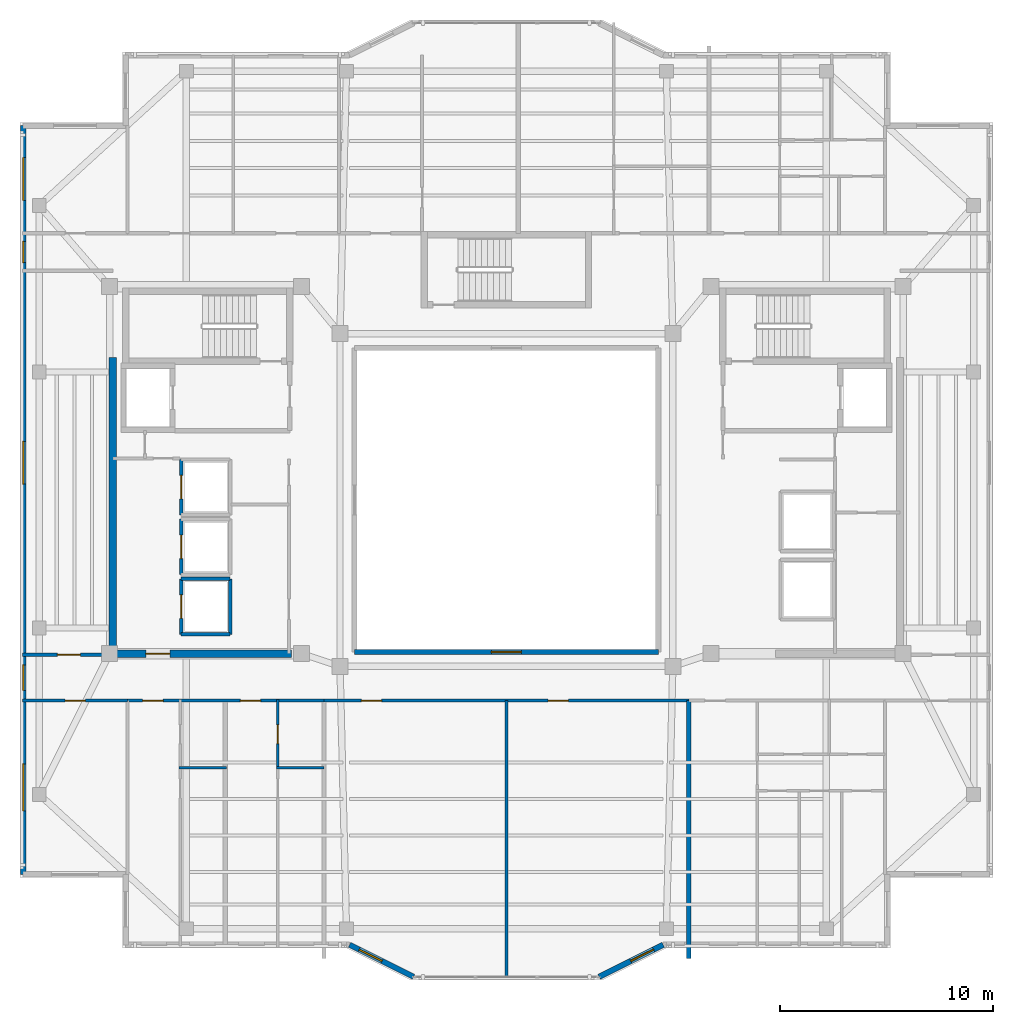
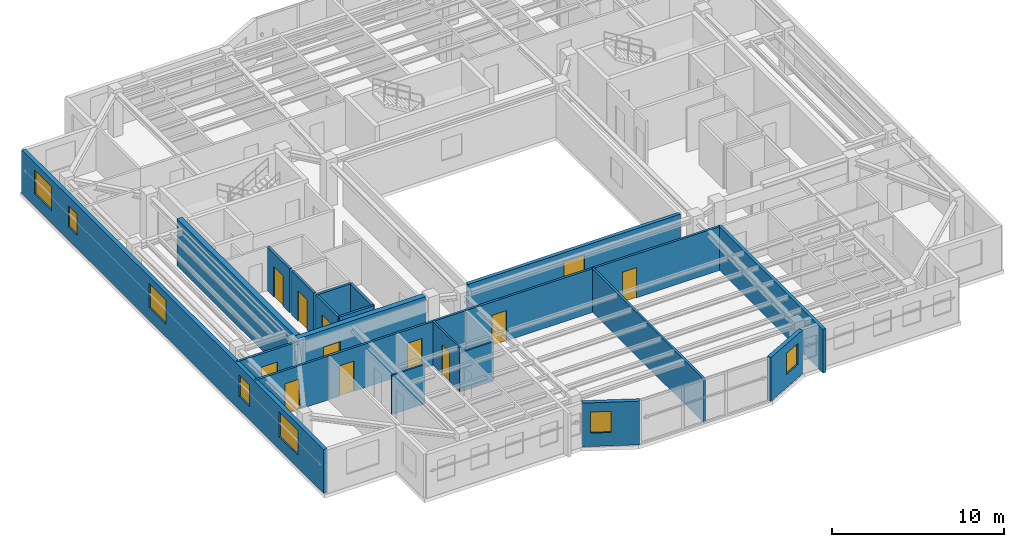
# One storey, part 6 of 14: 21 walls, 11 doors, 8 windows, 19 openings.
"""IFC4 building model written with IfcOpenShell, lengths in metres."""

import ifcopenshell
import ifcopenshell.guid

model = None  # the IFC model being written
_history = None  # IfcOwnerHistory: only IFC2X3 demands one
_inside = {}  # id of a spatial element -> (the spatial element, [elements in it])
_under = {}  # id of a project, library or spatial element -> (it, [spatial elements below it])
_declared = {}  # id of a project -> (the project, [libraries it declares])
_typed = {}  # id of a type object -> (the type object, [elements of that type])
_made_of = {}  # id of a material, layer set ... -> (it, [elements and type objects made of it])


def new_model(schema):
    """Start an empty IFC model of exactly this schema.

    Asked for "IFC4X3", IfcOpenShell would pick the latest addendum, in which some entities
    have other attributes; the version numbers below select the first issue.
    IFC2X3 requires an IfcOwnerHistory on every rooted entity: one is made here for all.
    """
    global model, _history
    if schema == "IFC4X3":
        model = ifcopenshell.file(schema_version=(4, 3, 0, 0))
    else:
        model = ifcopenshell.file(schema=schema)
    _inside.clear()
    _under.clear()
    _declared.clear()
    _typed.clear()
    _made_of.clear()
    _history = None
    if model.schema == "IFC2X3":
        org = make("IfcOrganization", Name="unknown")
        user = make(
            "IfcPersonAndOrganization",
            ThePerson=make("IfcPerson", FamilyName="unknown"),
            TheOrganization=org,
        )
        app = make(
            "IfcApplication",
            ApplicationDeveloper=org,
            Version="unknown",
            ApplicationFullName="unknown",
            ApplicationIdentifier="unknown",
        )
        _history = make(
            "IfcOwnerHistory",
            OwningUser=user,
            OwningApplication=app,
            ChangeAction="ADDED",
            CreationDate=0,
        )
    return model


def make(cls, **values):
    """One entity of the class cls with the attributes given. An attribute that is None is left unset."""
    return model.create_entity(
        cls, **{name: value for name, value in values.items() if value is not None}
    )


def rooted(cls, **values):
    """An entity with a GlobalId (a new one), such as an element, a storey or a relation."""
    return make(cls, GlobalId=ifcopenshell.guid.new(), OwnerHistory=_history, **values)


def si_unit(unit_type, name, prefix=None):
    """IfcSIUnit, for example si_unit("LENGTHUNIT", "METRE", prefix="MILLI")."""
    return make("IfcSIUnit", UnitType=unit_type, Prefix=prefix, Name=name)


def assignment(units):
    """IfcUnitAssignment: the units of a project."""
    return None if units is None else make("IfcUnitAssignment", Units=units)


def point(xyz):
    """IfcCartesianPoint."""
    return None if xyz is None else make("IfcCartesianPoint", Coordinates=xyz)


def direction(xyz):
    """IfcDirection."""
    return None if xyz is None else make("IfcDirection", DirectionRatios=xyz)


def frame(location, z_axis=None, x_axis=None):
    """IfcAxis2Placement3D, a coordinate frame: its origin and axes. An axis left out is left unset."""
    return make(
        "IfcAxis2Placement3D",
        Location=point(location),
        Axis=direction(z_axis),
        RefDirection=direction(x_axis),
    )


def frame_2d(location, x_axis=None):
    """IfcAxis2Placement2D, a coordinate frame in the plane: its origin and x axis."""
    return make(
        "IfcAxis2Placement2D", Location=point(location), RefDirection=direction(x_axis)
    )


def origin():
    """The frame at (0, 0, 0) with its axes left unset."""
    return frame((0.0, 0.0, 0.0))


def place(relative_to, where):
    """IfcLocalPlacement: puts the frame where relative to a parent placement (None: the world)."""
    return make(
        "IfcLocalPlacement", PlacementRelTo=relative_to, RelativePlacement=where
    )


def context(
    kind, dimensions, precision=None, world=None, true_north=None, identifier=None
):
    """IfcGeometricRepresentationContext, for example the 3D "Model" context."""
    return make(
        "IfcGeometricRepresentationContext",
        ContextIdentifier=identifier,
        ContextType=kind,
        CoordinateSpaceDimension=dimensions,
        Precision=precision,
        WorldCoordinateSystem=world,
        TrueNorth=true_north,
    )


def subcontext(parent, identifier, kind, view, scale=None):
    """IfcGeometricRepresentationSubContext, for example "Body" below "Model"."""
    return make(
        "IfcGeometricRepresentationSubContext",
        ContextIdentifier=identifier,
        ContextType=kind,
        ParentContext=parent,
        TargetScale=scale,
        TargetView=view,
    )


def project(units=None, contexts=None):
    """IfcProject with its units and contexts."""
    return rooted(
        "IfcProject",
        Name="project",
        RepresentationContexts=contexts,
        UnitsInContext=assignment(units),
    )


def spatial(cls, under=None, at=None, **own):
    """A site, building, storey or space (cls), placed at a placement, below another one or the project."""
    s = rooted(cls, ObjectPlacement=at, **own)
    if under is not None:
        _under.setdefault(under.id(), (under, []))[1].append(s)
    return s


def profile(cls, at=None, kind="AREA", **sizes):
    """A parametric profile (cls). Its sizes go by their IFC names, for example OverallWidth=200.0."""
    return make(cls, ProfileType=kind, Position=at, **sizes)


def rectangle(**sizes):
    """IfcRectangleProfileDef."""
    return profile("IfcRectangleProfileDef", **sizes)


def extrude(swept, where, along, depth):
    """IfcExtrudedAreaSolid: the profile swept, set in the frame where, extruded along a direction by depth."""
    return make(
        "IfcExtrudedAreaSolid",
        SweptArea=swept,
        Position=where,
        ExtrudedDirection=direction(along),
        Depth=depth,
    )


def shape(context_of_items, identifier, shape_type, items):
    """IfcShapeRepresentation: the items that make up one representation, for example the "Body"."""
    return make(
        "IfcShapeRepresentation",
        ContextOfItems=context_of_items,
        RepresentationIdentifier=identifier,
        RepresentationType=shape_type,
        Items=items,
    )


def material(Name=None, Category=None):
    """IfcMaterial."""
    return make("IfcMaterial", Name=Name, Category=Category)


def layer(
    of_material, thickness, ventilated=None, Name=None, Category=None, Priority=None
):
    """IfcMaterialLayer: one layer of a wall or slab, of a material (None: an air gap)."""
    return make(
        "IfcMaterialLayer",
        Material=of_material,
        LayerThickness=thickness,
        IsVentilated=ventilated,
        Name=Name,
        Category=Category,
        Priority=Priority,
    )


def layer_set(layers, Name=None):
    """IfcMaterialLayerSet."""
    return make("IfcMaterialLayerSet", MaterialLayers=layers, LayerSetName=Name)


def made_of(thing, what):
    """Note that an element or type object is made of a material, layer set ...; save() writes the relation."""
    if what is not None:
        _made_of.setdefault(what.id(), (what, []))[1].append(thing)
    return thing


def type_object(cls, material=None, **own):
    """A type object (cls), such as IfcWallType, which elements share."""
    return made_of(rooted(cls, **own), material)


def element(
    cls,
    number,
    at=None,
    inside=None,
    cuts=None,
    type_object=None,
    material=None,
    context=None,
    identifier="Body",
    shape_type=None,
    held_by="IfcProductDefinitionShape",
    body=None,
    shapes=None,
    **own,
):
    """One element of the class cls, such as IfcWall. Its Tag is "e" and its number.

    at: its placement. inside: the storey or other place that contains it. cuts: it is an
    opening in that element (IfcRelVoidsElement). A single representation is given by context,
    identifier, shape_type and body (its items); several are given by shapes. held_by: the class
    of the entity that holds the representations. save() writes the other relations.
    """
    e = rooted(cls, Tag="e%d" % number, ObjectPlacement=at, **own)
    if body is not None:
        shapes = [shape(context, identifier, shape_type, body)]
    if shapes is not None:
        e.Representation = make(held_by, Representations=shapes)
    if inside is not None:
        _inside.setdefault(inside.id(), (inside, []))[1].append(e)
    if cuts is not None:
        rooted(
            "IfcRelVoidsElement", RelatingBuildingElement=cuts, RelatedOpeningElement=e
        )
    if type_object is not None:
        _typed.setdefault(type_object.id(), (type_object, []))[1].append(e)
    return made_of(e, material)


def fill(opening, filler):
    """IfcRelFillsElement: the door or window that sits in an opening."""
    return rooted(
        "IfcRelFillsElement",
        RelatingOpeningElement=opening,
        RelatedBuildingElement=filler,
    )


def aggregate(whole, parts):
    """IfcRelAggregates: a whole, such as a stair, and the parts it consists of."""
    return rooted("IfcRelAggregates", RelatingObject=whole, RelatedObjects=parts)


def save(model, path):
    """Write the relations noted so far, then the file.

    IfcRelAggregates (storeys below a building ...), IfcRelContainedInSpatialStructure (elements
    in a storey), IfcRelDefinesByType, IfcRelAssociatesMaterial and IfcRelDeclares: one each for
    every whole, place, type object, material and project.
    """
    for whole, parts in _under.values():
        aggregate(whole, parts)
    for where, things in _inside.values():
        rooted(
            "IfcRelContainedInSpatialStructure",
            RelatedElements=things,
            RelatingStructure=where,
        )
    for kind, things in _typed.values():
        rooted("IfcRelDefinesByType", RelatedObjects=things, RelatingType=kind)
    for what, things in _made_of.values():
        rooted("IfcRelAssociatesMaterial", RelatedObjects=things, RelatingMaterial=what)
    for by, libraries in _declared.values():
        rooted("IfcRelDeclares", RelatingContext=by, RelatedDefinitions=libraries)
    model.write(path)


model = new_model("IFC4")

# Units and contexts
model_context = context("Model", 3, precision=1e-05, world=origin(), true_north=direction((0.0, 1.0)))
body_context = subcontext(model_context, "Body", "Model", "MODEL_VIEW")
ifc_project = project(units=[si_unit("LENGTHUNIT", "METRE"), si_unit("AREAUNIT", "SQUARE_METRE"), si_unit("VOLUMEUNIT", "CUBIC_METRE"), si_unit("PLANEANGLEUNIT", "RADIAN"), si_unit("MASSUNIT", "GRAM", prefix="KILO")], contexts=[model_context])

# Site, building, storey
site_placement = place(None, origin())
site = spatial("IfcSite", under=ifc_project, at=site_placement, CompositionType="ELEMENT")
building_placement = place(site_placement, origin())
building = spatial("IfcBuilding", under=site, at=building_placement, Name="Tarnavaz Court Tower", CompositionType="ELEMENT")
storey_placement = place(building_placement, frame((0.0, 0.0, 258.25)))
storey = spatial("IfcBuildingStorey", under=building, at=storey_placement, Name="L70", CompositionType="ELEMENT", Elevation=258.25)

# Wall
ifc_material_1 = material(Name="Concrete C50/60", Category="concrete")
ifc_layer_1 = layer(ifc_material_1, 0.35009765625)
ifc_layer_set_1 = layer_set([ifc_layer_1], Name="Concrete C50/60")
wall_type_1 = type_object("IfcWallType", Name="WL-CORE-350-C50", PredefinedType="SHEAR", material=ifc_layer_set_1)
wall_1_placement = place(storey_placement, frame((-18.449951171875, -7.375, 0.0), z_axis=(0.0, 0.0, 1.0), x_axis=(0.0, 1.0, 0.0)))
element("IfcWall", 1, at=wall_1_placement, inside=storey, type_object=wall_type_1, Name="L70 West Core Shear Wall 045", PredefinedType="SHEAR", context=body_context, shape_type="SweptSolid", body=[
    extrude(rectangle(XDim=14.050048828125, YDim=0.35009765625, at=frame_2d((7.02490234375, 0.0))), origin(), (0.0, 0.0, 1.0), 3.35009765625),
])

# Wall, opening, door
wall_2_placement = place(storey_placement, frame((-18.625, -7.199951171875, 0.0), z_axis=(0.0, 0.0, 1.0), x_axis=(1.0, 0.0, 0.0)))
wall_2 = element("IfcWall", 2, at=wall_2_placement, inside=storey, type_object=wall_type_1, Name="L70 West Core South Shear Wall 046", PredefinedType="SHEAR", context=body_context, shape_type="SweptSolid", body=[
    extrude(rectangle(XDim=8.550048828125, YDim=0.35009765625, at=frame_2d((4.27490234375, 0.0))), origin(), (0.0, 0.0, 1.0), 3.35009765625),
])
opening_1_placement = place(wall_2_placement, frame((1.72509765625, 0.0, 0.0)))
opening_1 = element("IfcOpeningElement", 3, at=opening_1_placement, cuts=wall_2, Name="Opening D04", PredefinedType="OPENING", context=body_context, shape_type="SweptSolid", body=[
    extrude(rectangle(XDim=1.1201171875, YDim=2.14990234375, at=frame_2d((0.56005859375, 1.074951171875))), frame((0.0, 0.18505859375, 0.0), z_axis=(0.0, -1.0, 0.0), x_axis=(1.0, 0.0, 0.0)), (0.0, 0.0, 1.0), 0.3701171875),
])
ifc_material_2 = material(Name="Fire-Rated Hardwood Timber Core", Category="wood")
door_type_1 = type_object("IfcDoorType", Name="DR-FD60-1100", OperationType="NOTDEFINED", PredefinedType="DOOR", material=ifc_material_2)
door_1_placement = place(opening_1_placement, origin())
door_1 = element("IfcDoor", 4, at=door_1_placement, inside=storey, type_object=door_type_1, Name="L70 West High-Rise Lift Lobby Door", OperationType="SINGLE_SWING_LEFT", OverallHeight=2.14990234375, OverallWidth=1.1201171875, PredefinedType="DOOR", context=body_context, shape_type="SweptSolid", body=[
    extrude(rectangle(XDim=1.1201171875, YDim=2.14990234375, at=frame_2d((0.56005859375, 1.074951171875))), frame((0.0, 0.02490234375, 0.0), z_axis=(0.0, -1.0, 0.0), x_axis=(1.0, 0.0, 0.0)), (0.0, 0.0, 1.0), 0.050048828125),
])
fill(opening_1, door_1)

# Wall, openings, windows
ifc_material_3 = material(Name="Precast Concrete C40/50", Category="concrete")
ifc_layer_2 = layer(ifc_material_3, 0.260009765625)
ifc_layer_set_2 = layer_set([ifc_layer_2], Name="Precast Concrete C40/50")
wall_type_2 = type_object("IfcWallType", Name="WL-EXT-260", PredefinedType="SOLIDWALL", material=ifc_layer_set_2)
wall_3_placement = place(storey_placement, frame((-22.64990234375, -17.550048828125, 0.0), z_axis=(0.0, 0.0, 1.0), x_axis=(0.0, 1.0, 0.0)))
wall_3 = element("IfcWall", 5, at=wall_3_placement, inside=storey, type_object=wall_type_2, Name="L70 Exterior Terracotta Facade Wall 02", PredefinedType="SOLIDWALL", context=body_context, shape_type="SweptSolid", body=[
    extrude(rectangle(XDim=35.10009765625, YDim=0.260009765625, at=frame_2d((17.550048828125, 0.0))), origin(), (0.0, 0.0, 1.0), 3.10009765625),
])
opening_2_placement = place(wall_3_placement, frame((2.97509765625, 0.0, 0.89990234375)))
opening_2 = element("IfcOpeningElement", 6, at=opening_2_placement, cuts=wall_3, Name="Opening W07", PredefinedType="OPENING", context=body_context, shape_type="SweptSolid", body=[
    extrude(rectangle(XDim=2.199951171875, YDim=1.75, at=frame_2d((1.10009765625, 0.875))), frame((0.0, 0.139892578125, 0.0), z_axis=(0.0, -1.0, 0.0), x_axis=(1.0, 0.0, 0.0)), (0.0, 0.0, 1.0), 0.280029296875),
])
opening_3_placement = place(wall_3_placement, frame((8.625, 0.0, 0.949951171875)))
opening_3 = element("IfcOpeningElement", 7, at=opening_3_placement, cuts=wall_3, Name="Opening W05", PredefinedType="OPENING", context=body_context, shape_type="SweptSolid", body=[
    extrude(rectangle(XDim=1.199951171875, YDim=1.5, at=frame_2d((0.60009765625, 0.75))), frame((0.0, 0.139892578125, 0.0), z_axis=(0.0, -1.0, 0.0), x_axis=(1.0, 0.0, 0.0)), (0.0, 0.0, 1.0), 0.280029296875),
])
opening_4_placement = place(wall_3_placement, frame((18.300048828125, 0.0, 0.89990234375)))
opening_4 = element("IfcOpeningElement", 8, at=opening_4_placement, cuts=wall_3, Name="Opening W08", PredefinedType="OPENING", context=body_context, shape_type="SweptSolid", body=[
    extrude(rectangle(XDim=2.0, YDim=1.699951171875, at=frame_2d((1.0, 0.85009765625))), frame((0.0, 0.139892578125, 0.0), z_axis=(0.0, -1.0, 0.0), x_axis=(1.0, 0.0, 0.0)), (0.0, 0.0, 1.0), 0.280029296875),
])
opening_5_placement = place(wall_3_placement, frame((28.675048828125, 0.0, 0.949951171875)))
opening_5 = element("IfcOpeningElement", 9, at=opening_5_placement, cuts=wall_3, Name="Opening W14", PredefinedType="OPENING", context=body_context, shape_type="SweptSolid", body=[
    extrude(rectangle(XDim=1.0, YDim=1.5, at=frame_2d((0.5, 0.75))), frame((0.0, 0.139892578125, 0.0), z_axis=(0.0, -1.0, 0.0), x_axis=(1.0, 0.0, 0.0)), (0.0, 0.0, 1.0), 0.280029296875),
])
opening_6_placement = place(wall_3_placement, frame((31.60009765625, 0.0, 0.89990234375)))
opening_6 = element("IfcOpeningElement", 10, at=opening_6_placement, cuts=wall_3, Name="Opening W08", PredefinedType="OPENING", context=body_context, shape_type="SweptSolid", body=[
    extrude(rectangle(XDim=2.0, YDim=1.699951171875, at=frame_2d((1.0, 0.85009765625))), frame((0.0, 0.139892578125, 0.0), z_axis=(0.0, -1.0, 0.0), x_axis=(1.0, 0.0, 0.0)), (0.0, 0.0, 1.0), 0.280029296875),
])
ifc_material_4 = material(Name="Double-Glazed Solar Low-E Glass", Category="glass")
window_type_1 = type_object("IfcWindowType", Name="WN-APT-1000", PartitioningType="SINGLE_PANEL", PredefinedType="WINDOW", material=ifc_material_4)
window_1_placement = place(opening_5_placement, origin())
window_1 = element("IfcWindow", 11, at=window_1_placement, inside=storey, type_object=window_type_1, Name="L70 North-West Corner Corridor Window", OverallHeight=1.5, OverallWidth=1.0, PartitioningType="SINGLE_PANEL", PredefinedType="WINDOW", context=body_context, shape_type="SweptSolid", body=[
    extrude(rectangle(XDim=1.0, YDim=1.5, at=frame_2d((0.5, 0.75))), frame((0.0, 0.030029296875, 0.0), z_axis=(0.0, -1.0, 0.0), x_axis=(1.0, 0.0, 0.0)), (0.0, 0.0, 1.0), 0.06005859375),
])
fill(opening_5, window_1)
window_type_2 = type_object("IfcWindowType", Name="WN-APT-1200", PartitioningType="SINGLE_PANEL", PredefinedType="WINDOW", material=ifc_material_4)
window_2_placement = place(opening_3_placement, origin())
window_2 = element("IfcWindow", 12, at=window_2_placement, inside=storey, type_object=window_type_2, Name="L70 South-West Corner Corridor Window", OverallHeight=1.5, OverallWidth=1.199951171875, PartitioningType="SINGLE_PANEL", PredefinedType="WINDOW", context=body_context, shape_type="SweptSolid", body=[
    extrude(rectangle(XDim=1.199951171875, YDim=1.5, at=frame_2d((0.60009765625, 0.75))), frame((0.0, 0.030029296875, 0.0), z_axis=(0.0, -1.0, 0.0), x_axis=(1.0, 0.0, 0.0)), (0.0, 0.0, 1.0), 0.06005859375),
])
fill(opening_3, window_2)
window_type_3 = type_object("IfcWindowType", Name="WN-APT-2000", PartitioningType="DOUBLE_PANEL_VERTICAL", PredefinedType="WINDOW", material=ifc_material_4)
window_3_placement = place(opening_4_placement, origin())
window_3 = element("IfcWindow", 13, at=window_3_placement, inside=storey, type_object=window_type_3, Name="L70 West Wing Community Meeting Lounge Window", OverallHeight=1.699951171875, OverallWidth=2.0, PartitioningType="SINGLE_PANEL", PredefinedType="WINDOW", context=body_context, shape_type="SweptSolid", body=[
    extrude(rectangle(XDim=2.0, YDim=1.699951171875, at=frame_2d((1.0, 0.85009765625))), frame((0.0, 0.030029296875, 0.0), z_axis=(0.0, -1.0, 0.0), x_axis=(1.0, 0.0, 0.0)), (0.0, 0.0, 1.0), 0.06005859375),
])
fill(opening_4, window_3)
window_4_placement = place(opening_6_placement, origin())
window_4 = element("IfcWindow", 14, at=window_4_placement, inside=storey, type_object=window_type_3, Name="L70 North-West Corner Sunroom Study Window", OverallHeight=1.699951171875, OverallWidth=2.0, PartitioningType="SINGLE_PANEL", PredefinedType="WINDOW", context=body_context, shape_type="SweptSolid", body=[
    extrude(rectangle(XDim=2.0, YDim=1.699951171875, at=frame_2d((1.0, 0.85009765625))), frame((0.0, 0.030029296875, 0.0), z_axis=(0.0, -1.0, 0.0), x_axis=(1.0, 0.0, 0.0)), (0.0, 0.0, 1.0), 0.06005859375),
])
fill(opening_6, window_4)
window_type_4 = type_object("IfcWindowType", Name="WN-APT-2200", PartitioningType="TRIPLE_PANEL_VERTICAL", PredefinedType="WINDOW", material=ifc_material_4)
window_5_placement = place(opening_2_placement, origin())
window_5 = element("IfcWindow", 15, at=window_5_placement, inside=storey, type_object=window_type_4, Name="L70 South-West Corner Reading Room Window", OverallHeight=1.75, OverallWidth=2.199951171875, PartitioningType="SINGLE_PANEL", PredefinedType="WINDOW", context=body_context, shape_type="SweptSolid", body=[
    extrude(rectangle(XDim=2.199951171875, YDim=1.75, at=frame_2d((1.10009765625, 0.875))), frame((0.0, 0.030029296875, 0.0), z_axis=(0.0, -1.0, 0.0), x_axis=(1.0, 0.0, 0.0)), (0.0, 0.0, 1.0), 0.06005859375),
])
fill(opening_2, window_5)

# Wall, opening, window
wall_4_placement = place(storey_placement, frame((7.35009765625, -20.85009765625, 0.0), z_axis=(0.0, 0.0, 1.0), x_axis=(-0.894427191, -0.4472135955, 0.0)))
wall_4 = element("IfcWall", 16, at=wall_4_placement, inside=storey, type_object=wall_type_2, Name="L70 Exterior Terracotta Facade Wall 16", PredefinedType="SOLIDWALL", context=body_context, shape_type="SweptSolid", body=[
    extrude(rectangle(XDim=3.35400390625, YDim=0.260009765625, at=frame_2d((1.677001953125, 0.0))), origin(), (0.0, 0.0, 1.0), 3.10009765625),
])
opening_7_placement = place(wall_4_placement, frame((0.501220703125, 0.0, 0.949951171875)))
opening_7 = element("IfcOpeningElement", 17, at=opening_7_placement, cuts=wall_4, Name="Opening W05", PredefinedType="OPENING", context=body_context, shape_type="SweptSolid", body=[
    extrude(rectangle(XDim=1.199951171875, YDim=1.5, at=frame_2d((0.60009765625, 0.75))), frame((0.0, 0.139892578125, 0.0), z_axis=(0.0, -1.0, 0.0), x_axis=(1.0, 0.0, 0.0)), (0.0, 0.0, 1.0), 0.280029296875),
])
window_6_placement = place(opening_7_placement, origin())
window_6 = element("IfcWindow", 18, at=window_6_placement, inside=storey, type_object=window_type_2, Name="L70 South Courtyard Reading Room Window", OverallHeight=1.5, OverallWidth=1.199951171875, PartitioningType="SINGLE_PANEL", PredefinedType="WINDOW", context=body_context, shape_type="SweptSolid", body=[
    extrude(rectangle(XDim=1.199951171875, YDim=1.5, at=frame_2d((0.60009765625, 0.75))), frame((0.0, 0.030029296875, 0.0), z_axis=(0.0, -1.0, 0.0), x_axis=(1.0, 0.0, 0.0)), (0.0, 0.0, 1.0), 0.06005859375),
])
fill(opening_7, window_6)

wall_5_placement = place(storey_placement, frame((-4.35009765625, -22.35009765625, 0.0), z_axis=(0.0, 0.0, 1.0), x_axis=(-0.894427191, 0.4472135955, 0.0)))
wall_5 = element("IfcWall", 19, at=wall_5_placement, inside=storey, type_object=wall_type_2, Name="L70 Exterior Terracotta Facade Wall 18", PredefinedType="SOLIDWALL", context=body_context, shape_type="SweptSolid", body=[
    extrude(rectangle(XDim=3.35400390625, YDim=0.260009765625, at=frame_2d((1.677001953125, 0.0))), origin(), (0.0, 0.0, 1.0), 3.10009765625),
])
opening_8_placement = place(wall_5_placement, frame((1.65283203125, 0.0, 0.949951171875)))
opening_8 = element("IfcOpeningElement", 20, at=opening_8_placement, cuts=wall_5, Name="Opening W05", PredefinedType="OPENING", context=body_context, shape_type="SweptSolid", body=[
    extrude(rectangle(XDim=1.199951171875, YDim=1.5, at=frame_2d((0.60009765625, 0.75))), frame((0.0, 0.139892578125, 0.0), z_axis=(0.0, -1.0, 0.0), x_axis=(1.0, 0.0, 0.0)), (0.0, 0.0, 1.0), 0.280029296875),
])
window_7_placement = place(opening_8_placement, origin())
window_7 = element("IfcWindow", 21, at=window_7_placement, inside=storey, type_object=window_type_2, Name="L70 South Courtyard Majlis Lounge Window", OverallHeight=1.5, OverallWidth=1.199951171875, PartitioningType="SINGLE_PANEL", PredefinedType="WINDOW", context=body_context, shape_type="SweptSolid", body=[
    extrude(rectangle(XDim=1.199951171875, YDim=1.5, at=frame_2d((0.60009765625, 0.75))), frame((0.0, 0.030029296875, 0.0), z_axis=(0.0, -1.0, 0.0), x_axis=(1.0, 0.0, 0.0)), (0.0, 0.0, 1.0), 0.06005859375),
])
fill(opening_8, window_7)

# Wall, openings, doors
ifc_material_5 = material(Name="Gypsum Fire-Board on Acoustic Metal Stud", Category="masonry")
ifc_layer_3 = layer(ifc_material_5, 0.14990234375)
ifc_layer_set_3 = layer_set([ifc_layer_3], Name="Gypsum Fire-Board on Acoustic Metal Stud")
wall_type_3 = type_object("IfcWallType", Name="WL-FIRE-150", PredefinedType="PARTITIONING", material=ifc_layer_set_3)
wall_6_placement = place(storey_placement, frame((-17.75, -9.39990234375, 0.0), z_axis=(0.0, 0.0, 1.0), x_axis=(1.0, 0.0, 0.0)))
wall_6 = element("IfcWall", 22, at=wall_6_placement, inside=storey, type_object=wall_type_3, Name="L70 SW Lobby Wall 059", PredefinedType="PARTITIONING", context=body_context, shape_type="SweptSolid", body=[
    extrude(rectangle(XDim=9.199951171875, YDim=0.14990234375, at=frame_2d((4.60009765625, 0.0))), origin(), (0.0, 0.0, 1.0), 3.10009765625),
])
opening_9_placement = place(wall_6_placement, frame((0.699951171875, 0.0, 0.0)))
opening_9 = element("IfcOpeningElement", 23, at=opening_9_placement, cuts=wall_6, Name="Opening D06", PredefinedType="OPENING", context=body_context, shape_type="SweptSolid", body=[
    extrude(rectangle(XDim=0.9599609375, YDim=2.14990234375, at=frame_2d((0.47998046875, 1.074951171875))), frame((0.0, 0.0849609375, 0.0), z_axis=(0.0, -1.0, 0.0), x_axis=(1.0, 0.0, 0.0)), (0.0, 0.0, 1.0), 0.169921875),
])
opening_10_placement = place(wall_6_placement, frame((5.27490234375, 0.0, 0.0)))
opening_10 = element("IfcOpeningElement", 24, at=opening_10_placement, cuts=wall_6, Name="Opening D06", PredefinedType="OPENING", context=body_context, shape_type="SweptSolid", body=[
    extrude(rectangle(XDim=0.9599609375, YDim=2.14990234375, at=frame_2d((0.47998046875, 1.074951171875))), frame((0.0, 0.0849609375, 0.0), z_axis=(0.0, -1.0, 0.0), x_axis=(1.0, 0.0, 0.0)), (0.0, 0.0, 1.0), 0.169921875),
])
door_type_2 = type_object("IfcDoorType", Name="DR-FD60-950", OperationType="NOTDEFINED", PredefinedType="DOOR", material=ifc_material_2)
door_2_placement = place(opening_9_placement, origin())
door_2 = element("IfcDoor", 25, at=door_2_placement, inside=storey, type_object=door_type_2, Name="L70 Flat 03 Entrance Door", OperationType="SINGLE_SWING_RIGHT", OverallHeight=2.14990234375, OverallWidth=0.9599609375, PredefinedType="DOOR", context=body_context, shape_type="SweptSolid", body=[
    extrude(rectangle(XDim=0.9599609375, YDim=2.14990234375, at=frame_2d((0.47998046875, 1.074951171875))), frame((0.0, 0.02490234375, 0.0), z_axis=(0.0, -1.0, 0.0), x_axis=(1.0, 0.0, 0.0)), (0.0, 0.0, 1.0), 0.050048828125),
])
fill(opening_9, door_2)
door_3_placement = place(opening_10_placement, origin())
door_3 = element("IfcDoor", 26, at=door_3_placement, inside=storey, type_object=door_type_2, Name="L70 Flat 04 Entrance Door", OperationType="SINGLE_SWING_LEFT", OverallHeight=2.14990234375, OverallWidth=0.9599609375, PredefinedType="DOOR", context=body_context, shape_type="SweptSolid", body=[
    extrude(rectangle(XDim=0.9599609375, YDim=2.14990234375, at=frame_2d((0.47998046875, 1.074951171875))), frame((0.0, 0.02490234375, 0.0), z_axis=(0.0, -1.0, 0.0), x_axis=(1.0, 0.0, 0.0)), (0.0, 0.0, 1.0), 0.050048828125),
])
fill(opening_10, door_3)

wall_7_placement = place(storey_placement, frame((-8.550048828125, -9.39990234375, 0.0), z_axis=(0.0, 0.0, 1.0), x_axis=(1.0, 0.0, 0.0)))
wall_7 = element("IfcWall", 27, at=wall_7_placement, inside=storey, type_object=wall_type_3, Name="L70 Interior Partition 091", PredefinedType="PARTITIONING", context=body_context, shape_type="SweptSolid", body=[
    extrude(rectangle(XDim=17.10009765625, YDim=0.14990234375, at=frame_2d((8.550048828125, 0.0))), origin(), (0.0, 0.0, 1.0), 3.10009765625),
])
opening_11_placement = place(wall_7_placement, frame((1.75, 0.0, 0.0)))
opening_11 = element("IfcOpeningElement", 28, at=opening_11_placement, cuts=wall_7, Name="Opening D13", PredefinedType="OPENING", context=body_context, shape_type="SweptSolid", body=[
    extrude(rectangle(XDim=0.949951171875, YDim=2.14990234375, at=frame_2d((0.47509765625, 1.074951171875))), frame((0.0, 0.0849609375, 0.0), z_axis=(0.0, -1.0, 0.0), x_axis=(1.0, 0.0, 0.0)), (0.0, 0.0, 1.0), 0.169921875),
])
opening_12_placement = place(wall_7_placement, frame((10.5, 0.0, 0.0)))
opening_12 = element("IfcOpeningElement", 29, at=opening_12_placement, cuts=wall_7, Name="Opening D13", PredefinedType="OPENING", context=body_context, shape_type="SweptSolid", body=[
    extrude(rectangle(XDim=0.949951171875, YDim=2.14990234375, at=frame_2d((0.47509765625, 1.074951171875))), frame((0.0, 0.0849609375, 0.0), z_axis=(0.0, -1.0, 0.0), x_axis=(1.0, 0.0, 0.0)), (0.0, 0.0, 1.0), 0.169921875),
])
ifc_material_6 = material(Name="Engineered Oak Timber", Category="wood")
door_type_3 = type_object("IfcDoorType", Name="DR-INT-950", OperationType="NOTDEFINED", PredefinedType="DOOR", material=ifc_material_6)
door_4_placement = place(opening_11_placement, origin())
door_4 = element("IfcDoor", 30, at=door_4_placement, inside=storey, type_object=door_type_3, Name="L70 South Majlis Lounge Door", OperationType="SINGLE_SWING_LEFT", OverallHeight=2.14990234375, OverallWidth=0.949951171875, PredefinedType="DOOR", context=body_context, shape_type="SweptSolid", body=[
    extrude(rectangle(XDim=0.949951171875, YDim=2.14990234375, at=frame_2d((0.47509765625, 1.074951171875))), frame((0.0, 0.02490234375, 0.0), z_axis=(0.0, -1.0, 0.0), x_axis=(1.0, 0.0, 0.0)), (0.0, 0.0, 1.0), 0.050048828125),
])
fill(opening_11, door_4)
door_5_placement = place(opening_12_placement, origin())
door_5 = element("IfcDoor", 31, at=door_5_placement, inside=storey, type_object=door_type_3, Name="L70 South Reading Room Door", OperationType="SINGLE_SWING_RIGHT", OverallHeight=2.14990234375, OverallWidth=0.949951171875, PredefinedType="DOOR", context=body_context, shape_type="SweptSolid", body=[
    extrude(rectangle(XDim=0.949951171875, YDim=2.14990234375, at=frame_2d((0.47509765625, 1.074951171875))), frame((0.0, 0.02490234375, 0.0), z_axis=(0.0, -1.0, 0.0), x_axis=(1.0, 0.0, 0.0)), (0.0, 0.0, 1.0), 0.050048828125),
])
fill(opening_12, door_5)

# Wall, opening, door
wall_8_placement = place(storey_placement, frame((-22.679931640625, -7.25, 0.0), z_axis=(0.0, 0.0, 1.0), x_axis=(1.0, 0.0, 0.0)))
wall_8 = element("IfcWall", 32, at=wall_8_placement, inside=storey, type_object=wall_type_3, Name="L70 Interior Partition 093", PredefinedType="PARTITIONING", context=body_context, shape_type="SweptSolid", body=[
    extrude(rectangle(XDim=4.22998046875, YDim=0.14990234375, at=frame_2d((2.114990234375, 0.0))), origin(), (0.0, 0.0, 1.0), 3.10009765625),
])
opening_13_placement = place(wall_8_placement, frame((1.6298828125, 0.0, 0.0)))
opening_13 = element("IfcOpeningElement", 33, at=opening_13_placement, cuts=wall_8, Name="Opening D12", PredefinedType="OPENING", context=body_context, shape_type="SweptSolid", body=[
    extrude(rectangle(XDim=1.080078125, YDim=2.14990234375, at=frame_2d((0.5400390625, 1.074951171875))), frame((0.0, 0.0849609375, 0.0), z_axis=(0.0, -1.0, 0.0), x_axis=(1.0, 0.0, 0.0)), (0.0, 0.0, 1.0), 0.169921875),
])
door_type_4 = type_object("IfcDoorType", Name="DR-INT-1100", OperationType="NOTDEFINED", PredefinedType="DOOR", material=ifc_material_6)
door_6_placement = place(opening_13_placement, origin())
door_6 = element("IfcDoor", 34, at=door_6_placement, inside=storey, type_object=door_type_4, Name="L70 West Meeting Lounge Door", OperationType="SINGLE_SWING_LEFT", OverallHeight=2.14990234375, OverallWidth=1.080078125, PredefinedType="DOOR", context=body_context, shape_type="SweptSolid", body=[
    extrude(rectangle(XDim=1.080078125, YDim=2.14990234375, at=frame_2d((0.5400390625, 1.074951171875))), frame((0.0, 0.02490234375, 0.0), z_axis=(0.0, -1.0, 0.0), x_axis=(1.0, 0.0, 0.0)), (0.0, 0.0, 1.0), 0.050048828125),
])
fill(opening_13, door_6)

wall_9_placement = place(storey_placement, frame((-22.679931640625, -9.39990234375, 0.0), z_axis=(0.0, 0.0, 1.0), x_axis=(1.0, 0.0, 0.0)))
wall_9 = element("IfcWall", 35, at=wall_9_placement, inside=storey, type_object=wall_type_3, Name="L70 Interior Partition 103", PredefinedType="PARTITIONING", context=body_context, shape_type="SweptSolid", body=[
    extrude(rectangle(XDim=4.929931640625, YDim=0.14990234375, at=frame_2d((2.46484375, 0.0))), origin(), (0.0, 0.0, 1.0), 3.10009765625),
])
opening_14_placement = place(wall_9_placement, frame((1.989990234375, 0.0, 0.0)))
opening_14 = element("IfcOpeningElement", 36, at=opening_14_placement, cuts=wall_9, Name="Opening D13", PredefinedType="OPENING", context=body_context, shape_type="SweptSolid", body=[
    extrude(rectangle(XDim=0.949951171875, YDim=2.14990234375, at=frame_2d((0.47509765625, 1.074951171875))), frame((0.0, 0.0849609375, 0.0), z_axis=(0.0, -1.0, 0.0), x_axis=(1.0, 0.0, 0.0)), (0.0, 0.0, 1.0), 0.169921875),
])
door_7_placement = place(opening_14_placement, origin())
door_7 = element("IfcDoor", 37, at=door_7_placement, inside=storey, type_object=door_type_3, Name="L70 SW Reading Room Door", OperationType="SINGLE_SWING_LEFT", OverallHeight=2.14990234375, OverallWidth=0.949951171875, PredefinedType="DOOR", context=body_context, shape_type="SweptSolid", body=[
    extrude(rectangle(XDim=0.949951171875, YDim=2.14990234375, at=frame_2d((0.47509765625, 1.074951171875))), frame((0.0, 0.02490234375, 0.0), z_axis=(0.0, -1.0, 0.0), x_axis=(1.0, 0.0, 0.0)), (0.0, 0.0, 1.0), 0.050048828125),
])
fill(opening_14, door_7)

# Walls
ifc_material_7 = material(Name="Autoclaved Aerated Concrete Blockwork", Category="masonry")
ifc_layer_4 = layer(ifc_material_7, 0.199951171875)
ifc_layer_set_4 = layer_set([ifc_layer_4], Name="Autoclaved Aerated Concrete Blockwork")
wall_type_4 = type_object("IfcWallType", Name="WL-FIRE-200", PredefinedType="SOLIDWALL", material=ifc_layer_set_4)
wall_10_placement = place(storey_placement, frame((8.550048828125, -21.50390625, 0.0), z_axis=(0.0, 0.0, 1.0), x_axis=(0.0, 1.0, 0.0)))
element("IfcWall", 38, at=wall_10_placement, inside=storey, type_object=wall_type_4, Name="L70 Party Wall 090", PredefinedType="SOLIDWALL", context=body_context, shape_type="SweptSolid", body=[
    extrude(rectangle(XDim=12.10400390625, YDim=0.199951171875, at=frame_2d((6.052001953125, 0.0))), origin(), (0.0, 0.0, 1.0), 3.10009765625),
])
ifc_material_8 = material(Name="Moisture-Resistant Gypsum Board Partition", Category="masonry")
ifc_layer_5 = layer(ifc_material_8, 0.1201171875)
ifc_layer_set_5 = layer_set([ifc_layer_5], Name="Moisture-Resistant Gypsum Board Partition")
wall_type_5 = type_object("IfcWallType", Name="WL-PART-120", PredefinedType="PARTITIONING", material=ifc_layer_set_5)
wall_11_placement = place(storey_placement, frame((-15.35009765625, -12.56005859375, 0.0), z_axis=(0.0, 0.0, 1.0), x_axis=(1.0, 0.0, 0.0)))
element("IfcWall", 39, at=wall_11_placement, inside=storey, type_object=wall_type_5, Name="L70 Interior Partition 078", PredefinedType="PARTITIONING", context=body_context, shape_type="SweptSolid", body=[
    extrude(rectangle(XDim=2.235107421875, YDim=0.1201171875, at=frame_2d((1.11767578125, 0.0))), origin(), (0.0, 0.0, 1.0), 2.784912109375),
])

# Wall, opening, door
wall_12_placement = place(storey_placement, frame((-10.715087890625, -12.56005859375, 0.0), z_axis=(0.0, 0.0, 1.0), x_axis=(0.0, 1.0, 0.0)))
wall_12 = element("IfcWall", 40, at=wall_12_placement, inside=storey, type_object=wall_type_5, Name="L70 Interior Partition 080", PredefinedType="PARTITIONING", context=body_context, shape_type="SweptSolid", body=[
    extrude(rectangle(XDim=3.219970703125, YDim=0.1201171875, at=frame_2d((1.60986328125, 0.0))), origin(), (0.0, 0.0, 1.0), 3.10009765625),
])
opening_15_placement = place(wall_12_placement, frame((1.139892578125, 0.0, 0.0)))
opening_15 = element("IfcOpeningElement", 41, at=opening_15_placement, cuts=wall_12, Name="Opening D14", PredefinedType="OPENING", context=body_context, shape_type="SweptSolid", body=[
    extrude(rectangle(XDim=0.8798828125, YDim=2.10009765625, at=frame_2d((0.43994140625, 1.050048828125))), frame((0.0, 0.070068359375, 0.0), z_axis=(0.0, -1.0, 0.0), x_axis=(1.0, 0.0, 0.0)), (0.0, 0.0, 1.0), 0.14013671875),
])
door_type_5 = type_object("IfcDoorType", Name="DR-INT-900", OperationType="NOTDEFINED", PredefinedType="DOOR", material=ifc_material_6)
door_8_placement = place(opening_15_placement, origin())
door_8 = element("IfcDoor", 42, at=door_8_placement, inside=storey, type_object=door_type_5, Name="L70 Flat 04 Bathroom Door", OperationType="SINGLE_SWING_LEFT", OverallHeight=2.10009765625, OverallWidth=0.8798828125, PredefinedType="DOOR", context=body_context, shape_type="SweptSolid", body=[
    extrude(rectangle(XDim=0.8798828125, YDim=2.10009765625, at=frame_2d((0.43994140625, 1.050048828125))), frame((0.0, 0.02490234375, 0.0), z_axis=(0.0, -1.0, 0.0), x_axis=(1.0, 0.0, 0.0)), (0.0, 0.0, 1.0), 0.050048828125),
])
fill(opening_15, door_8)

# Walls
wall_13_placement = place(storey_placement, frame((-10.77490234375, -12.56005859375, 0.0), z_axis=(0.0, 0.0, 1.0), x_axis=(1.0, 0.0, 0.0)))
element("IfcWall", 43, at=wall_13_placement, inside=storey, type_object=wall_type_5, Name="L70 Interior Partition 081", PredefinedType="PARTITIONING", context=body_context, shape_type="SweptSolid", body=[
    extrude(rectangle(XDim=2.23486328125, YDim=0.1201171875, at=frame_2d((1.117431640625, 0.0))), origin(), (0.0, 0.0, 1.0), 2.784912109375),
])
ifc_material_9 = material(Name="Gypsum Plasterboard Acoustic Partition", Category="masonry")
ifc_layer_6 = layer(ifc_material_9, 0.139892578125)
ifc_layer_set_6 = layer_set([ifc_layer_6], Name="Gypsum Plasterboard Acoustic Partition")
wall_type_6 = type_object("IfcWallType", Name="WL-PART-150", PredefinedType="PARTITIONING", material=ifc_layer_set_6)
wall_14_placement = place(storey_placement, frame((0.0, -22.3798828125, 0.0), z_axis=(0.0, 0.0, 1.0), x_axis=(0.0, 1.0, 0.0)))
element("IfcWall", 44, at=wall_14_placement, inside=storey, type_object=wall_type_6, Name="L70 Interior Partition 092", PredefinedType="PARTITIONING", context=body_context, shape_type="SweptSolid", body=[
    extrude(rectangle(XDim=12.97998046875, YDim=0.139892578125, at=frame_2d((6.489990234375, 0.0))), origin(), (0.0, 0.0, 1.0), 3.10009765625),
])

# Wall, opening, door
ifc_layer_7 = layer(ifc_material_7, 0.159912109375)
ifc_layer_set_7 = layer_set([ifc_layer_7], Name="Autoclaved Aerated Concrete Blockwork")
wall_type_7 = type_object("IfcWallType", Name="WL-SHAFT-150", PredefinedType="SOLIDWALL", material=ifc_layer_set_7)
wall_15_placement = place(storey_placement, frame((-15.25, -6.300048828125, 0.0), z_axis=(0.0, 0.0, 1.0), x_axis=(0.0, 1.0, 0.0)))
wall_15 = element("IfcWall", 45, at=wall_15_placement, inside=storey, type_object=wall_type_7, Name="L70 Lift PL-H1 Shaft Wall 021", PredefinedType="SOLIDWALL", context=body_context, shape_type="SweptSolid", body=[
    extrude(rectangle(XDim=2.60009765625, YDim=0.159912109375, at=frame_2d((1.300048828125, 0.0))), origin(), (0.0, 0.0, 1.0), 3.10009765625),
])
opening_16_placement = place(wall_15_placement, frame((0.75, 0.0, 0.0)))
opening_16 = element("IfcOpeningElement", 46, at=opening_16_placement, cuts=wall_15, Name="Opening LD1", PredefinedType="OPENING", context=body_context, shape_type="SweptSolid", body=[
    extrude(rectangle(XDim=1.10009765625, YDim=2.14990234375, at=frame_2d((0.550048828125, 1.074951171875))), frame((0.0, 0.08984375, 0.0), z_axis=(0.0, -1.0, 0.0), x_axis=(1.0, 0.0, 0.0)), (0.0, 0.0, 1.0), 0.179931640625),
])
ifc_material_10 = material(Name="Stainless Steel", Category="steel")
door_type_6 = type_object("IfcDoorType", Name="DR-LD-1100", OperationType="NOTDEFINED", PredefinedType="DOOR", material=ifc_material_10)
door_9_placement = place(opening_16_placement, origin())
door_9 = element("IfcDoor", 47, at=door_9_placement, inside=storey, type_object=door_type_6, Name="L70 Lift Landing Door LD-PL-H1", OperationType="SLIDING_TO_LEFT", OverallHeight=2.14990234375, OverallWidth=1.10009765625, PredefinedType="DOOR", context=body_context, shape_type="SweptSolid", body=[
    extrude(rectangle(XDim=1.10009765625, YDim=2.14990234375, at=frame_2d((0.550048828125, 1.074951171875))), frame((0.0, 0.02490234375, 0.0), z_axis=(0.0, -1.0, 0.0), x_axis=(1.0, 0.0, 0.0)), (0.0, 0.0, 1.0), 0.050048828125),
])
fill(opening_16, door_9)

# Walls
wall_16_placement = place(storey_placement, frame((-12.949951171875, -6.300048828125, 0.0), z_axis=(0.0, 0.0, 1.0), x_axis=(0.0, 1.0, 0.0)))
element("IfcWall", 48, at=wall_16_placement, inside=storey, type_object=wall_type_7, Name="L70 Lift PL-H1 Shaft Wall 022", PredefinedType="SOLIDWALL", context=body_context, shape_type="SweptSolid", body=[
    extrude(rectangle(XDim=2.60009765625, YDim=0.159912109375, at=frame_2d((1.300048828125, 0.0))), origin(), (0.0, 0.0, 1.0), 3.10009765625),
])
for number, where, z_axis, x_axis, name in (
    (49, (-15.25, -6.300048828125, 0.0), (0.0, 0.0, 1.0), (1.0, 0.0, 0.0), "L70 Lift PL-H1 Shaft Wall 023"),
    (50, (-15.25, -3.699951171875, 0.0), (0.0, 0.0, 1.0), (1.0, 0.0, 0.0), "L70 Lift PL-H1 Shaft Wall 024"),
):
    element("IfcWall", number, at=place(storey_placement, frame(where, z_axis=z_axis, x_axis=x_axis)), inside=storey, type_object=wall_type_7, Name=name, PredefinedType="SOLIDWALL", context=body_context, shape_type="SweptSolid", body=[
        extrude(rectangle(XDim=2.300048828125, YDim=0.159912109375, at=frame_2d((1.14990234375, 0.0))), origin(), (0.0, 0.0, 1.0), 3.10009765625),
    ])

# Wall, opening, door
wall_17_placement = place(storey_placement, frame((-15.25, -3.5, 0.0), z_axis=(0.0, 0.0, 1.0), x_axis=(0.0, 1.0, 0.0)))
wall_17 = element("IfcWall", 51, at=wall_17_placement, inside=storey, type_object=wall_type_7, Name="L70 Lift PL-H2 Shaft Wall 025", PredefinedType="SOLIDWALL", context=body_context, shape_type="SweptSolid", body=[
    extrude(rectangle(XDim=2.60009765625, YDim=0.159912109375, at=frame_2d((1.300048828125, 0.0))), origin(), (0.0, 0.0, 1.0), 3.10009765625),
])
opening_17_placement = place(wall_17_placement, frame((0.75, 0.0, 0.0)))
opening_17 = element("IfcOpeningElement", 52, at=opening_17_placement, cuts=wall_17, Name="Opening LD1", PredefinedType="OPENING", context=body_context, shape_type="SweptSolid", body=[
    extrude(rectangle(XDim=1.10009765625, YDim=2.14990234375, at=frame_2d((0.550048828125, 1.074951171875))), frame((0.0, 0.08984375, 0.0), z_axis=(0.0, -1.0, 0.0), x_axis=(1.0, 0.0, 0.0)), (0.0, 0.0, 1.0), 0.179931640625),
])
door_10_placement = place(opening_17_placement, origin())
door_10 = element("IfcDoor", 53, at=door_10_placement, inside=storey, type_object=door_type_6, Name="L70 Lift Landing Door LD-PL-H2", OperationType="SLIDING_TO_LEFT", OverallHeight=2.14990234375, OverallWidth=1.10009765625, PredefinedType="DOOR", context=body_context, shape_type="SweptSolid", body=[
    extrude(rectangle(XDim=1.10009765625, YDim=2.14990234375, at=frame_2d((0.550048828125, 1.074951171875))), frame((0.0, 0.02490234375, 0.0), z_axis=(0.0, -1.0, 0.0), x_axis=(1.0, 0.0, 0.0)), (0.0, 0.0, 1.0), 0.050048828125),
])
fill(opening_17, door_10)

wall_18_placement = place(storey_placement, frame((-15.25, -0.699951171875, 0.0), z_axis=(0.0, 0.0, 1.0), x_axis=(0.0, 1.0, 0.0)))
wall_18 = element("IfcWall", 54, at=wall_18_placement, inside=storey, type_object=wall_type_7, Name="L70 Lift PL-H3 Shaft Wall 029", PredefinedType="SOLIDWALL", context=body_context, shape_type="SweptSolid", body=[
    extrude(rectangle(XDim=2.599853515625, YDim=0.159912109375, at=frame_2d((1.2998046875, 0.0))), origin(), (0.0, 0.0, 1.0), 3.10009765625),
])
opening_18_placement = place(wall_18_placement, frame((0.75, 0.0, 0.0)))
opening_18 = element("IfcOpeningElement", 55, at=opening_18_placement, cuts=wall_18, Name="Opening LD1", PredefinedType="OPENING", context=body_context, shape_type="SweptSolid", body=[
    extrude(rectangle(XDim=1.10009765625, YDim=2.14990234375, at=frame_2d((0.550048828125, 1.074951171875))), frame((0.0, 0.08984375, 0.0), z_axis=(0.0, -1.0, 0.0), x_axis=(1.0, 0.0, 0.0)), (0.0, 0.0, 1.0), 0.179931640625),
])
door_11_placement = place(opening_18_placement, origin())
door_11 = element("IfcDoor", 56, at=door_11_placement, inside=storey, type_object=door_type_6, Name="L70 Lift Landing Door LD-PL-H3", OperationType="SLIDING_TO_LEFT", OverallHeight=2.14990234375, OverallWidth=1.10009765625, PredefinedType="DOOR", context=body_context, shape_type="SweptSolid", body=[
    extrude(rectangle(XDim=1.10009765625, YDim=2.14990234375, at=frame_2d((0.550048828125, 1.074951171875))), frame((0.0, 0.02490234375, 0.0), z_axis=(0.0, -1.0, 0.0), x_axis=(1.0, 0.0, 0.0)), (0.0, 0.0, 1.0), 0.050048828125),
])
fill(opening_18, door_11)

# Wall, opening, window
ifc_layer_8 = layer(ifc_material_3, 0.239990234375)
ifc_layer_set_8 = layer_set([ifc_layer_8], Name="Precast Concrete C40/50")
wall_type_8 = type_object("IfcWallType", Name="WL-WELL-240", PredefinedType="SOLIDWALL", material=ifc_layer_set_8)
wall_19_placement = place(storey_placement, frame((-7.1201171875, -7.1201171875, 0.0), z_axis=(0.0, 0.0, 1.0), x_axis=(1.0, 0.0, 0.0)))
wall_19 = element("IfcWall", 57, at=wall_19_placement, inside=storey, type_object=wall_type_8, Name="L70 Badgir Light-Well Exterior Wall S", PredefinedType="SOLIDWALL", context=body_context, shape_type="SweptSolid", body=[
    extrude(rectangle(XDim=14.240234375, YDim=0.239990234375, at=frame_2d((7.1201171875, 0.0))), origin(), (0.0, 0.0, 1.0), 3.10009765625),
])
opening_19_placement = place(wall_19_placement, frame((6.419921875, 0.0, 0.949951171875)))
opening_19 = element("IfcOpeningElement", 58, at=opening_19_placement, cuts=wall_19, Name="Opening W13", PredefinedType="OPENING", context=body_context, shape_type="SweptSolid", body=[
    extrude(rectangle(XDim=1.39990234375, YDim=1.5, at=frame_2d((0.699951171875, 0.75))), frame((0.0, 0.1298828125, 0.0), z_axis=(0.0, -1.0, 0.0), x_axis=(1.0, 0.0, 0.0)), (0.0, 0.0, 1.0), 0.260009765625),
])
window_type_5 = type_object("IfcWindowType", Name="WN-WEL-1400", PartitioningType="SINGLE_PANEL", PredefinedType="WINDOW", material=ifc_material_4)
window_8_placement = place(opening_19_placement, origin())
window_8 = element("IfcWindow", 59, at=window_8_placement, inside=storey, type_object=window_type_5, Name="L70 Courtyard Gallery Window S", OverallHeight=1.5, OverallWidth=1.39990234375, PartitioningType="SINGLE_PANEL", PredefinedType="WINDOW", context=body_context, shape_type="SweptSolid", body=[
    extrude(rectangle(XDim=1.39990234375, YDim=1.5, at=frame_2d((0.699951171875, 0.75))), frame((0.0, 0.030029296875, 0.0), z_axis=(0.0, -1.0, 0.0), x_axis=(1.0, 0.0, 0.0)), (0.0, 0.0, 1.0), 0.06005859375),
])
fill(opening_19, window_8)

save(model, "model.ifc")
